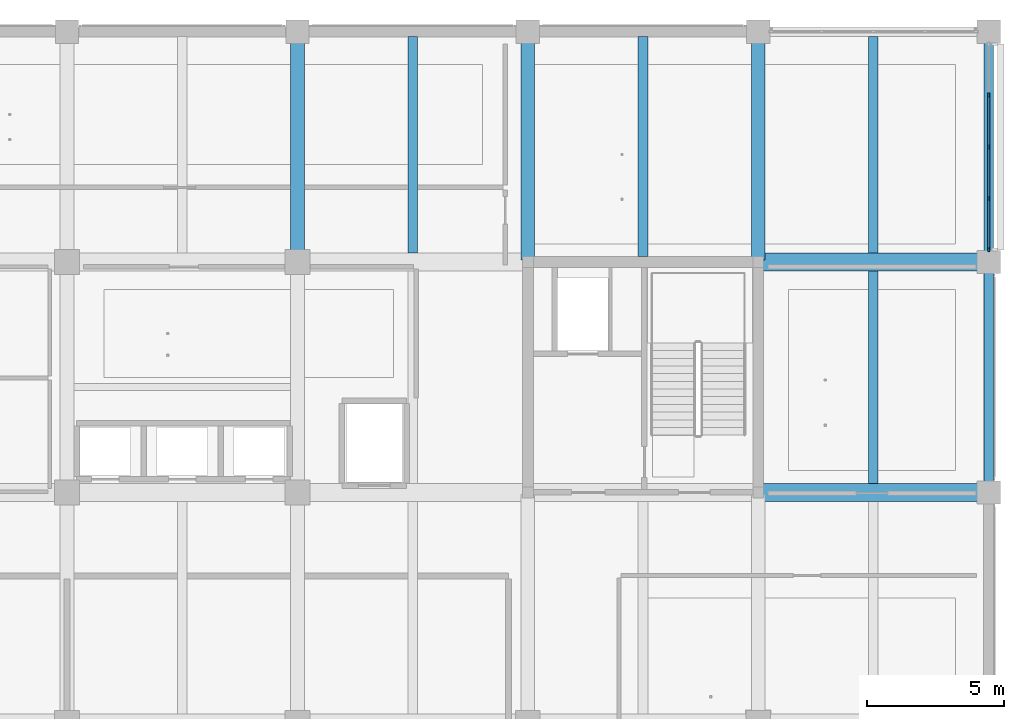
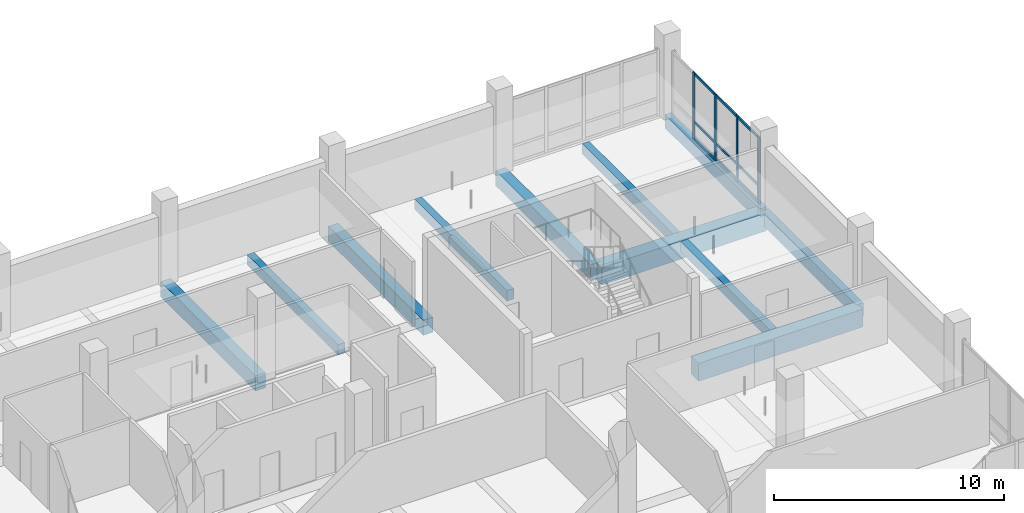
# One storey, part 7 of 36: 13 members, 11 beams, 1 element without a shape of its own.
"""IFC4 building model written with IfcOpenShell, lengths in metres."""

from ifc_helpers import new_model, si_unit, direction, frame, origin, origin_2d, place, context, subcontext, project, spatial, rectangle, extrude, material, layer, layer_set, material_profile, profile_set, type_object, element, aggregate, save


model = new_model("IFC4")

# Units and contexts
model_context = context("Model", 3, precision=1e-05, world=origin(), true_north=direction((0.0, 1.0)))
body_context = subcontext(model_context, "Body", "Model", "MODEL_VIEW")
ifc_project = project(units=[si_unit("LENGTHUNIT", "METRE"), si_unit("AREAUNIT", "SQUARE_METRE"), si_unit("VOLUMEUNIT", "CUBIC_METRE"), si_unit("PLANEANGLEUNIT", "RADIAN"), si_unit("MASSUNIT", "GRAM", prefix="KILO")], contexts=[model_context])

# Site, building, storey
site_placement = place(None, origin())
site = spatial("IfcSite", under=ifc_project, at=site_placement, CompositionType="ELEMENT")
building_placement = place(site_placement, origin())
building = spatial("IfcBuilding", under=site, at=building_placement, Name="Telukmera Botanical Conservatory", CompositionType="ELEMENT")
storey_placement = place(building_placement, frame((0.0, 0.0, 24.0)))
storey = spatial("IfcBuildingStorey", under=building, at=storey_placement, Name="L05", CompositionType="ELEMENT", Elevation=24.0)

# Beams
ifc_material_1 = material(Name="Concrete C40/50", Category="concrete")
ifc_material_profile_1 = material_profile(ifc_material_1, rectangle(XDim=0.64990234375, YDim=0.949951171875, at=origin_2d()), Name="RC 650x950")
ifc_profile_set_1 = profile_set([ifc_material_profile_1], Name="Concrete C40/50")
beam_type_1 = type_object("IfcBeamType", Name="Beam_B2", PredefinedType="BEAM", material=ifc_profile_set_1)
for number, where, z_axis, x_axis, name in (
    (1, (100.8798828125, 26.0, -0.47509765625), (1.0, 0.0, 0.0), (0.0, 1.0, 0.0), "Tower Grid Beam L05"),
    (2, (100.8798828125, 34.39990234375, -0.47509765625), (1.0, 0.0, 0.0), (0.0, 1.0, 0.0), "Tower Grid Beam L05"),
):
    element("IfcBeam", number, at=place(storey_placement, frame(where, z_axis=z_axis, x_axis=x_axis)), inside=storey, type_object=beam_type_1, Name=name, PredefinedType="BEAM", context=body_context, shape_type="SweptSolid", body=[
        extrude(rectangle(XDim=0.64990234375, YDim=0.949951171875, at=origin_2d()), origin(), (0.0, 0.0, 1.0), 8.240234375),
    ])
ifc_material_profile_2 = material_profile(ifc_material_1, rectangle(XDim=0.35009765625, YDim=0.550048828125, at=origin_2d()), Name="RC 350x550")
ifc_profile_set_2 = profile_set([ifc_material_profile_2], Name="Concrete C40/50")
beam_type_2 = type_object("IfcBeamType", Name="Beam_B21", PredefinedType="JOIST", material=ifc_profile_set_2)
beam_1_placement = place(storey_placement, frame((88.199951171875, 34.72509765625, -0.27490234375), z_axis=(0.0, 1.0, 0.0), x_axis=(-1.0, 0.0, 0.0)))
element("IfcBeam", 3, at=beam_1_placement, inside=storey, type_object=beam_type_2, Name="Tower Secondary Floor Joist L05", PredefinedType="JOIST", context=body_context, shape_type="SweptSolid", body=[
    extrude(rectangle(XDim=0.35009765625, YDim=0.550048828125, at=origin_2d()), origin(), (0.0, 0.0, 1.0), 7.89990234375),
])
beam_2_placement = place(storey_placement, frame((96.60009765625, 34.60009765625, -0.27490234375), z_axis=(0.0, 1.0, 0.0), x_axis=(-1.0, 0.0, 0.0)))
element("IfcBeam", 4, at=beam_2_placement, inside=storey, type_object=beam_type_2, Name="Tower Secondary Floor Joist L05", PredefinedType="JOIST", context=body_context, shape_type="SweptSolid", body=[
    extrude(rectangle(XDim=0.35009765625, YDim=0.550048828125, at=origin_2d()), origin(), (0.0, 0.0, 1.0), 8.02490234375),
])
beam_3_placement = place(storey_placement, frame((105.0, 26.324951171875, -0.27490234375), z_axis=(0.0, 1.0, 0.0), x_axis=(-1.0, 0.0, 0.0)))
element("IfcBeam", 5, at=beam_3_placement, inside=storey, type_object=beam_type_2, Name="Tower Secondary Floor Joist L05", PredefinedType="JOIST", context=body_context, shape_type="SweptSolid", body=[
    extrude(rectangle(XDim=0.35009765625, YDim=0.550048828125, at=origin_2d()), origin(), (0.0, 0.0, 1.0), 7.75),
])
beam_4_placement = place(storey_placement, frame((105.0, 34.72509765625, -0.27490234375), z_axis=(0.0, 1.0, 0.0), x_axis=(-1.0, 0.0, 0.0)))
element("IfcBeam", 6, at=beam_4_placement, inside=storey, type_object=beam_type_2, Name="Tower Secondary Floor Joist L05", PredefinedType="JOIST", context=body_context, shape_type="SweptSolid", body=[
    extrude(rectangle(XDim=0.35009765625, YDim=0.550048828125, at=origin_2d()), origin(), (0.0, 0.0, 1.0), 7.89990234375),
])
ifc_material_profile_3 = material_profile(ifc_material_1, rectangle(XDim=0.5, YDim=0.800048828125, at=origin_2d()), Name="RC 500x800")
ifc_profile_set_3 = profile_set([ifc_material_profile_3], Name="Concrete C40/50")
beam_type_3 = type_object("IfcBeamType", Name="Beam_B5", PredefinedType="BEAM", material=ifc_profile_set_3)
for number, where, z_axis, x_axis, name in (
    (7, (84.0, 34.47998046875, -0.39990234375), (0.0, 1.0, 0.0), (-1.0, 0.0, 0.0), "Tower Transverse Beam L05"),
    (8, (92.39990234375, 34.47998046875, -0.39990234375), (0.0, 1.0, 0.0), (-1.0, 0.0, 0.0), "Tower Transverse Beam L05"),
    (9, (100.800048828125, 34.47998046875, -0.39990234375), (0.0, 1.0, 0.0), (-1.0, 0.0, 0.0), "Tower Transverse Beam L05"),
):
    element("IfcBeam", number, at=place(storey_placement, frame(where, z_axis=z_axis, x_axis=x_axis)), inside=storey, type_object=beam_type_3, Name=name, PredefinedType="BEAM", context=body_context, shape_type="SweptSolid", body=[
        extrude(rectangle(XDim=0.5, YDim=0.800048828125, at=origin_2d()), origin(), (0.0, 0.0, 1.0), 8.239990234375),
    ])
ifc_material_2 = material(Name="Precast concrete C40/50", Category="concrete")
ifc_material_profile_4 = material_profile(ifc_material_2, rectangle(XDim=0.35009765625, YDim=0.699951171875, at=origin_2d()), Name="PC 350x700")
ifc_profile_set_4 = profile_set([ifc_material_profile_4], Name="Precast concrete C40/50")
beam_type_4 = type_object("IfcBeamType", Name="Beam_SP2", PredefinedType="SPANDREL", material=ifc_profile_set_4)
for number, where, z_axis, x_axis, name in (
    (10, (109.199951171875, 26.080078125, -0.35009765625), (0.0, 1.0, 0.0), (-1.0, 0.0, 0.0), "Tower Transverse Beam L05"),
    (11, (109.199951171875, 34.47998046875, -0.35009765625), (0.0, 1.0, 0.0), (-1.0, 0.0, 0.0), "Tower Transverse Beam L05"),
):
    element("IfcBeam", number, at=place(storey_placement, frame(where, z_axis=z_axis, x_axis=x_axis)), inside=storey, type_object=beam_type_4, Name=name, PredefinedType="SPANDREL", context=body_context, shape_type="SweptSolid", body=[
        extrude(rectangle(XDim=0.35009765625, YDim=0.699951171875, at=origin_2d()), origin(), (0.0, 0.0, 1.0), 8.239990234375),
    ])

# Curtain wall, members
ifc_material_3 = material(Name="Anodised aluminium 6063-T6", Category="aluminium")
ifc_layer = layer(ifc_material_3, 0.179931640625)
ifc_layer_set = layer_set([ifc_layer], Name="Anodised aluminium 6063-T6")
curtain_wall_type = type_object("IfcCurtainWallType", Name="Tower Herbarium Curation Corner Curtain Wall", PredefinedType="USERDEFINED", material=ifc_layer_set)
curtain_wall_placement = place(storey_placement, origin())
curtain_wall = element("IfcCurtainWall", 12, at=curtain_wall_placement, inside=storey, type_object=curtain_wall_type, Name="Unitised Curtain Wall CW14 V4:L05:E4", ObjectType="UNITISED CURTAIN WALL", PredefinedType="USERDEFINED")
ifc_material_profile_5 = material_profile(ifc_material_3, rectangle(XDim=0.06494140625, YDim=0.159912109375, at=origin_2d()), Name="ALU MULL 65x160")
ifc_profile_set_5 = profile_set([ifc_material_profile_5], Name="Anodised aluminium 6063-T6")
member_type_1 = type_object("IfcMemberType", Name="Curtain Wall Extruded Mullion 65x160", PredefinedType="MULLION", material=ifc_profile_set_5)
member_1_placement = place(storey_placement, frame((109.199951171875, 34.859619140625, 0.0), z_axis=(0.0, 0.0, 1.0), x_axis=(-1.0, 0.0, 0.0)))
member_1 = element("IfcMember", 13, at=member_1_placement, type_object=member_type_1, Name="CW14 mullion 1", PredefinedType="MULLION", context=body_context, shape_type="SweptSolid", body=[
    extrude(rectangle(XDim=0.06494140625, YDim=0.159912109375, at=origin_2d()), origin(), (0.0, 0.0, 1.0), 3.550048828125),
])
member_2_placement = place(storey_placement, frame((109.199951171875, 36.71337890625, 0.0), z_axis=(0.0, 0.0, 1.0), x_axis=(-1.0, 0.0, 0.0)))
member_2 = element("IfcMember", 14, at=member_2_placement, type_object=member_type_1, Name="CW14 mullion 2", PredefinedType="MULLION", context=body_context, shape_type="SweptSolid", body=[
    extrude(rectangle(XDim=0.06494140625, YDim=0.159912109375, at=origin_2d()), origin(), (0.0, 0.0, 1.0), 3.550048828125),
])
member_3_placement = place(storey_placement, frame((109.199951171875, 38.60009765625, 0.0), z_axis=(0.0, 0.0, 1.0), x_axis=(-1.0, 0.0, 0.0)))
member_3 = element("IfcMember", 15, at=member_3_placement, type_object=member_type_1, Name="CW14 mullion 3", PredefinedType="MULLION", context=body_context, shape_type="SweptSolid", body=[
    extrude(rectangle(XDim=0.06494140625, YDim=0.159912109375, at=origin_2d()), origin(), (0.0, 0.0, 1.0), 3.550048828125),
])
member_4_placement = place(storey_placement, frame((109.199951171875, 40.486572265625, 0.0), z_axis=(0.0, 0.0, 1.0), x_axis=(-1.0, 0.0, 0.0)))
member_4 = element("IfcMember", 16, at=member_4_placement, type_object=member_type_1, Name="CW14 mullion 4", PredefinedType="MULLION", context=body_context, shape_type="SweptSolid", body=[
    extrude(rectangle(XDim=0.06494140625, YDim=0.159912109375, at=origin_2d()), origin(), (0.0, 0.0, 1.0), 3.550048828125),
])
ifc_material_profile_6 = material_profile(ifc_material_3, rectangle(XDim=0.06494140625, YDim=0.1298828125, at=origin_2d()), Name="ALU TRAN 65x130")
ifc_profile_set_6 = profile_set([ifc_material_profile_6], Name="Anodised aluminium 6063-T6")
member_type_2 = type_object("IfcMemberType", Name="Curtain Wall Extruded Transom 65x130", PredefinedType="USERDEFINED", material=ifc_profile_set_6)
member_5_placement = place(storey_placement, frame((109.199951171875, 34.89208984375, 0.06494140625), z_axis=(0.0, 1.0, 0.0), x_axis=(-1.0, 0.0, 0.0)))
member_5 = element("IfcMember", 17, at=member_5_placement, type_object=member_type_2, Name="CW14 transom 1.1", ObjectType="TRANSOM", PredefinedType="USERDEFINED", context=body_context, shape_type="SweptSolid", body=[
    extrude(rectangle(XDim=0.06494140625, YDim=0.1298828125, at=origin_2d()), origin(), (0.0, 0.0, 1.0), 1.788818359375),
])
member_6_placement = place(storey_placement, frame((109.199951171875, 34.89208984375, 0.949951171875), z_axis=(0.0, 1.0, 0.0), x_axis=(-1.0, 0.0, 0.0)))
member_6 = element("IfcMember", 18, at=member_6_placement, type_object=member_type_2, Name="CW14 transom 1.2", ObjectType="TRANSOM", PredefinedType="USERDEFINED", context=body_context, shape_type="SweptSolid", body=[
    extrude(rectangle(XDim=0.06494140625, YDim=0.1298828125, at=origin_2d()), origin(), (0.0, 0.0, 1.0), 1.788818359375),
])
member_7_placement = place(storey_placement, frame((109.199951171875, 34.89208984375, 3.485107421875), z_axis=(0.0, 1.0, 0.0), x_axis=(-1.0, 0.0, 0.0)))
member_7 = element("IfcMember", 19, at=member_7_placement, type_object=member_type_2, Name="CW14 transom 1.3", ObjectType="TRANSOM", PredefinedType="USERDEFINED", context=body_context, shape_type="SweptSolid", body=[
    extrude(rectangle(XDim=0.06494140625, YDim=0.1298828125, at=origin_2d()), origin(), (0.0, 0.0, 1.0), 1.788818359375),
])
member_8_placement = place(storey_placement, frame((109.199951171875, 36.74609375, 0.06494140625), z_axis=(0.0, 1.0, 0.0), x_axis=(-1.0, 0.0, 0.0)))
member_8 = element("IfcMember", 20, at=member_8_placement, type_object=member_type_2, Name="CW14 transom 2.1", ObjectType="TRANSOM", PredefinedType="USERDEFINED", context=body_context, shape_type="SweptSolid", body=[
    extrude(rectangle(XDim=0.06494140625, YDim=0.1298828125, at=origin_2d()), origin(), (0.0, 0.0, 1.0), 1.8212890625),
])
member_9_placement = place(storey_placement, frame((109.199951171875, 36.74609375, 0.949951171875), z_axis=(0.0, 1.0, 0.0), x_axis=(-1.0, 0.0, 0.0)))
member_9 = element("IfcMember", 21, at=member_9_placement, type_object=member_type_2, Name="CW14 transom 2.2", ObjectType="TRANSOM", PredefinedType="USERDEFINED", context=body_context, shape_type="SweptSolid", body=[
    extrude(rectangle(XDim=0.06494140625, YDim=0.1298828125, at=origin_2d()), origin(), (0.0, 0.0, 1.0), 1.8212890625),
])
member_10_placement = place(storey_placement, frame((109.199951171875, 36.74609375, 3.485107421875), z_axis=(0.0, 1.0, 0.0), x_axis=(-1.0, 0.0, 0.0)))
member_10 = element("IfcMember", 22, at=member_10_placement, type_object=member_type_2, Name="CW14 transom 2.3", ObjectType="TRANSOM", PredefinedType="USERDEFINED", context=body_context, shape_type="SweptSolid", body=[
    extrude(rectangle(XDim=0.06494140625, YDim=0.1298828125, at=origin_2d()), origin(), (0.0, 0.0, 1.0), 1.8212890625),
])
member_11_placement = place(storey_placement, frame((109.199951171875, 38.632568359375, 0.06494140625), z_axis=(0.0, 1.0, 0.0), x_axis=(-1.0, 0.0, 0.0)))
member_11 = element("IfcMember", 23, at=member_11_placement, type_object=member_type_2, Name="CW14 transom 3.1", ObjectType="TRANSOM", PredefinedType="USERDEFINED", context=body_context, shape_type="SweptSolid", body=[
    extrude(rectangle(XDim=0.06494140625, YDim=0.1298828125, at=origin_2d()), origin(), (0.0, 0.0, 1.0), 1.821533203125),
])
member_12_placement = place(storey_placement, frame((109.199951171875, 38.632568359375, 0.949951171875), z_axis=(0.0, 1.0, 0.0), x_axis=(-1.0, 0.0, 0.0)))
member_12 = element("IfcMember", 24, at=member_12_placement, type_object=member_type_2, Name="CW14 transom 3.2", ObjectType="TRANSOM", PredefinedType="USERDEFINED", context=body_context, shape_type="SweptSolid", body=[
    extrude(rectangle(XDim=0.06494140625, YDim=0.1298828125, at=origin_2d()), origin(), (0.0, 0.0, 1.0), 1.821533203125),
])
member_13_placement = place(storey_placement, frame((109.199951171875, 38.632568359375, 3.485107421875), z_axis=(0.0, 1.0, 0.0), x_axis=(-1.0, 0.0, 0.0)))
member_13 = element("IfcMember", 25, at=member_13_placement, type_object=member_type_2, Name="CW14 transom 3.3", ObjectType="TRANSOM", PredefinedType="USERDEFINED", context=body_context, shape_type="SweptSolid", body=[
    extrude(rectangle(XDim=0.06494140625, YDim=0.1298828125, at=origin_2d()), origin(), (0.0, 0.0, 1.0), 1.821533203125),
])
aggregate(curtain_wall, [member_1, member_2, member_3, member_4, member_5, member_6, member_7, member_8, member_9, member_10, member_11, member_12, member_13])

save(model, "model.ifc")
